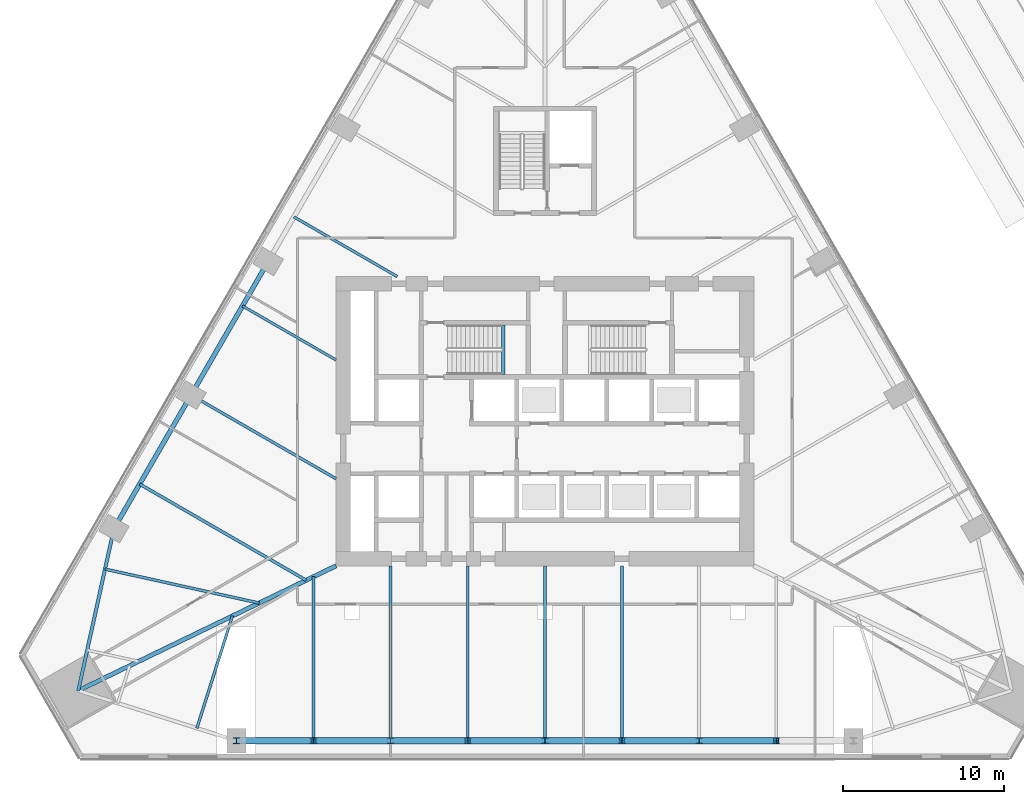
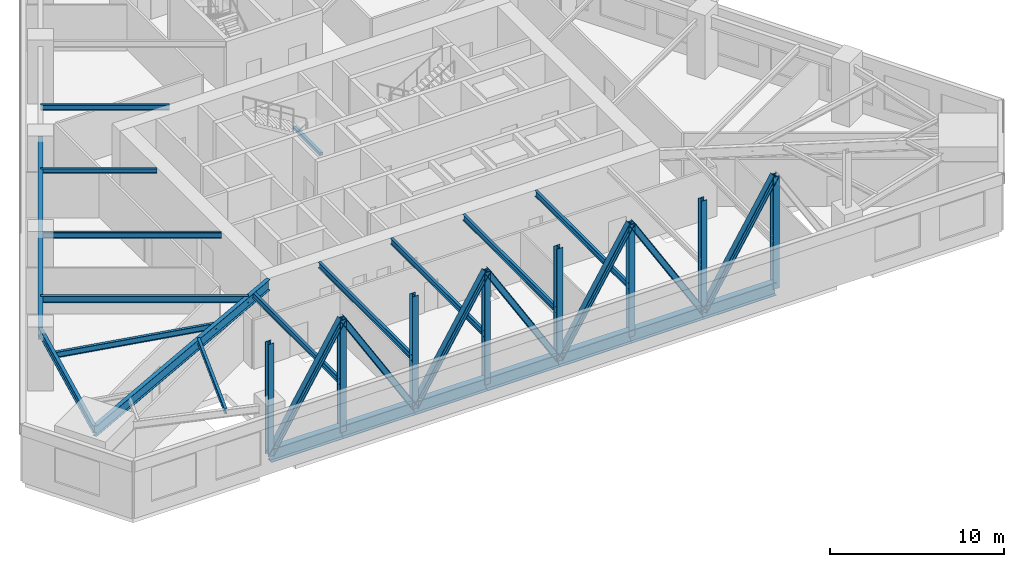
# One storey, part 2 of 11: 22 members, 15 beams.
"""IFC4 building model written with IfcOpenShell, lengths in metres."""

import ifcopenshell
import ifcopenshell.guid

model = None  # the IFC model being written
_history = None  # IfcOwnerHistory: only IFC2X3 demands one
_inside = {}  # id of a spatial element -> (the spatial element, [elements in it])
_under = {}  # id of a project, library or spatial element -> (it, [spatial elements below it])
_declared = {}  # id of a project -> (the project, [libraries it declares])
_typed = {}  # id of a type object -> (the type object, [elements of that type])
_made_of = {}  # id of a material, layer set ... -> (it, [elements and type objects made of it])


def new_model(schema):
    """Start an empty IFC model of exactly this schema.

    Asked for "IFC4X3", IfcOpenShell would pick the latest addendum, in which some entities
    have other attributes; the version numbers below select the first issue.
    IFC2X3 requires an IfcOwnerHistory on every rooted entity: one is made here for all.
    """
    global model, _history
    if schema == "IFC4X3":
        model = ifcopenshell.file(schema_version=(4, 3, 0, 0))
    else:
        model = ifcopenshell.file(schema=schema)
    _inside.clear()
    _under.clear()
    _declared.clear()
    _typed.clear()
    _made_of.clear()
    _history = None
    if model.schema == "IFC2X3":
        org = make("IfcOrganization", Name="unknown")
        user = make(
            "IfcPersonAndOrganization",
            ThePerson=make("IfcPerson", FamilyName="unknown"),
            TheOrganization=org,
        )
        app = make(
            "IfcApplication",
            ApplicationDeveloper=org,
            Version="unknown",
            ApplicationFullName="unknown",
            ApplicationIdentifier="unknown",
        )
        _history = make(
            "IfcOwnerHistory",
            OwningUser=user,
            OwningApplication=app,
            ChangeAction="ADDED",
            CreationDate=0,
        )
    return model


def make(cls, **values):
    """One entity of the class cls with the attributes given. An attribute that is None is left unset."""
    return model.create_entity(
        cls, **{name: value for name, value in values.items() if value is not None}
    )


def rooted(cls, **values):
    """An entity with a GlobalId (a new one), such as an element, a storey or a relation."""
    return make(cls, GlobalId=ifcopenshell.guid.new(), OwnerHistory=_history, **values)


def si_unit(unit_type, name, prefix=None):
    """IfcSIUnit, for example si_unit("LENGTHUNIT", "METRE", prefix="MILLI")."""
    return make("IfcSIUnit", UnitType=unit_type, Prefix=prefix, Name=name)


def assignment(units):
    """IfcUnitAssignment: the units of a project."""
    return None if units is None else make("IfcUnitAssignment", Units=units)


def point(xyz):
    """IfcCartesianPoint."""
    return None if xyz is None else make("IfcCartesianPoint", Coordinates=xyz)


def direction(xyz):
    """IfcDirection."""
    return None if xyz is None else make("IfcDirection", DirectionRatios=xyz)


def frame(location, z_axis=None, x_axis=None):
    """IfcAxis2Placement3D, a coordinate frame: its origin and axes. An axis left out is left unset."""
    return make(
        "IfcAxis2Placement3D",
        Location=point(location),
        Axis=direction(z_axis),
        RefDirection=direction(x_axis),
    )


def frame_2d(location, x_axis=None):
    """IfcAxis2Placement2D, a coordinate frame in the plane: its origin and x axis."""
    return make(
        "IfcAxis2Placement2D", Location=point(location), RefDirection=direction(x_axis)
    )


def origin():
    """The frame at (0, 0, 0) with its axes left unset."""
    return frame((0.0, 0.0, 0.0))


def origin_2d():
    """The frame at (0, 0) in the plane with its x axis left unset."""
    return frame_2d((0.0, 0.0))


def place(relative_to, where):
    """IfcLocalPlacement: puts the frame where relative to a parent placement (None: the world)."""
    return make(
        "IfcLocalPlacement", PlacementRelTo=relative_to, RelativePlacement=where
    )


def context(
    kind, dimensions, precision=None, world=None, true_north=None, identifier=None
):
    """IfcGeometricRepresentationContext, for example the 3D "Model" context."""
    return make(
        "IfcGeometricRepresentationContext",
        ContextIdentifier=identifier,
        ContextType=kind,
        CoordinateSpaceDimension=dimensions,
        Precision=precision,
        WorldCoordinateSystem=world,
        TrueNorth=true_north,
    )


def subcontext(parent, identifier, kind, view, scale=None):
    """IfcGeometricRepresentationSubContext, for example "Body" below "Model"."""
    return make(
        "IfcGeometricRepresentationSubContext",
        ContextIdentifier=identifier,
        ContextType=kind,
        ParentContext=parent,
        TargetScale=scale,
        TargetView=view,
    )


def project(units=None, contexts=None):
    """IfcProject with its units and contexts."""
    return rooted(
        "IfcProject",
        Name="project",
        RepresentationContexts=contexts,
        UnitsInContext=assignment(units),
    )


def spatial(cls, under=None, at=None, **own):
    """A site, building, storey or space (cls), placed at a placement, below another one or the project."""
    s = rooted(cls, ObjectPlacement=at, **own)
    if under is not None:
        _under.setdefault(under.id(), (under, []))[1].append(s)
    return s


def profile(cls, at=None, kind="AREA", **sizes):
    """A parametric profile (cls). Its sizes go by their IFC names, for example OverallWidth=200.0."""
    return make(cls, ProfileType=kind, Position=at, **sizes)


def rectangle(**sizes):
    """IfcRectangleProfileDef."""
    return profile("IfcRectangleProfileDef", **sizes)


def i_section(**sizes):
    """IfcIShapeProfileDef."""
    return profile("IfcIShapeProfileDef", **sizes)


def extrude(swept, where, along, depth):
    """IfcExtrudedAreaSolid: the profile swept, set in the frame where, extruded along a direction by depth."""
    return make(
        "IfcExtrudedAreaSolid",
        SweptArea=swept,
        Position=where,
        ExtrudedDirection=direction(along),
        Depth=depth,
    )


def shape(context_of_items, identifier, shape_type, items):
    """IfcShapeRepresentation: the items that make up one representation, for example the "Body"."""
    return make(
        "IfcShapeRepresentation",
        ContextOfItems=context_of_items,
        RepresentationIdentifier=identifier,
        RepresentationType=shape_type,
        Items=items,
    )


def material(Name=None, Category=None):
    """IfcMaterial."""
    return make("IfcMaterial", Name=Name, Category=Category)


def material_profile(
    of_material, cross_section, Name=None, Category=None, Priority=None
):
    """IfcMaterialProfile: a cross section and its material."""
    return make(
        "IfcMaterialProfile",
        Name=Name,
        Material=of_material,
        Profile=cross_section,
        Priority=Priority,
        Category=Category,
    )


def profile_set(profiles, Name=None, composite=None):
    """IfcMaterialProfileSet."""
    return make(
        "IfcMaterialProfileSet",
        Name=Name,
        MaterialProfiles=profiles,
        CompositeProfile=composite,
    )


def made_of(thing, what):
    """Note that an element or type object is made of a material, layer set ...; save() writes the relation."""
    if what is not None:
        _made_of.setdefault(what.id(), (what, []))[1].append(thing)
    return thing


def type_object(cls, material=None, **own):
    """A type object (cls), such as IfcWallType, which elements share."""
    return made_of(rooted(cls, **own), material)


def element(
    cls,
    number,
    at=None,
    inside=None,
    cuts=None,
    type_object=None,
    material=None,
    context=None,
    identifier="Body",
    shape_type=None,
    held_by="IfcProductDefinitionShape",
    body=None,
    shapes=None,
    **own,
):
    """One element of the class cls, such as IfcWall. Its Tag is "e" and its number.

    at: its placement. inside: the storey or other place that contains it. cuts: it is an
    opening in that element (IfcRelVoidsElement). A single representation is given by context,
    identifier, shape_type and body (its items); several are given by shapes. held_by: the class
    of the entity that holds the representations. save() writes the other relations.
    """
    e = rooted(cls, Tag="e%d" % number, ObjectPlacement=at, **own)
    if body is not None:
        shapes = [shape(context, identifier, shape_type, body)]
    if shapes is not None:
        e.Representation = make(held_by, Representations=shapes)
    if inside is not None:
        _inside.setdefault(inside.id(), (inside, []))[1].append(e)
    if cuts is not None:
        rooted(
            "IfcRelVoidsElement", RelatingBuildingElement=cuts, RelatedOpeningElement=e
        )
    if type_object is not None:
        _typed.setdefault(type_object.id(), (type_object, []))[1].append(e)
    return made_of(e, material)


def aggregate(whole, parts):
    """IfcRelAggregates: a whole, such as a stair, and the parts it consists of."""
    return rooted("IfcRelAggregates", RelatingObject=whole, RelatedObjects=parts)


def save(model, path):
    """Write the relations noted so far, then the file.

    IfcRelAggregates (storeys below a building ...), IfcRelContainedInSpatialStructure (elements
    in a storey), IfcRelDefinesByType, IfcRelAssociatesMaterial and IfcRelDeclares: one each for
    every whole, place, type object, material and project.
    """
    for whole, parts in _under.values():
        aggregate(whole, parts)
    for where, things in _inside.values():
        rooted(
            "IfcRelContainedInSpatialStructure",
            RelatedElements=things,
            RelatingStructure=where,
        )
    for kind, things in _typed.values():
        rooted("IfcRelDefinesByType", RelatedObjects=things, RelatingType=kind)
    for what, things in _made_of.values():
        rooted("IfcRelAssociatesMaterial", RelatedObjects=things, RelatingMaterial=what)
    for by, libraries in _declared.values():
        rooted("IfcRelDeclares", RelatingContext=by, RelatedDefinitions=libraries)
    model.write(path)


model = new_model("IFC4")

# Units and contexts
model_context = context("Model", 3, precision=1e-05, world=origin(), true_north=direction((0.0, 1.0)))
body_context = subcontext(model_context, "Body", "Model", "MODEL_VIEW")
ifc_project = project(units=[si_unit("LENGTHUNIT", "METRE"), si_unit("AREAUNIT", "SQUARE_METRE"), si_unit("VOLUMEUNIT", "CUBIC_METRE"), si_unit("PLANEANGLEUNIT", "RADIAN"), si_unit("MASSUNIT", "GRAM", prefix="KILO")], contexts=[model_context])

# Site, building, storey
site_placement = place(None, origin())
site = spatial("IfcSite", under=ifc_project, at=site_placement, CompositionType="ELEMENT")
building_placement = place(site_placement, origin())
building = spatial("IfcBuilding", under=site, at=building_placement, Name="Firuza Gate Tower and Library", CompositionType="ELEMENT")
storey_placement = place(building_placement, frame((0.0, 0.0, 31.0)))
storey = spatial("IfcBuildingStorey", under=building, at=storey_placement, Name="L06", CompositionType="ELEMENT", Elevation=31.0)

# Beams
ifc_material_1 = material(Name="Concrete C35/45", Category="concrete")
ifc_material_profile_1 = material_profile(ifc_material_1, rectangle(XDim=0.199951171875, YDim=0.199951171875, at=origin_2d()))
ifc_profile_set_1 = profile_set([ifc_material_profile_1], Name="Concrete C35/45")
beam_type_1 = type_object("IfcBeamType", Name="Stair landing bearer 200x200", PredefinedType="BEAM", material=ifc_profile_set_1)
beam_1_placement = place(storey_placement, frame((72.39990234375, 77.89990234375, 1.949951171875), z_axis=(0.0, 1.0, 0.0), x_axis=(-1.0, 0.0, 0.0)))
element("IfcBeam", 1, at=beam_1_placement, inside=storey, type_object=beam_type_1, Name="Landing bearer L06 stair 1", PredefinedType="BEAM", context=body_context, shape_type="SweptSolid", body=[
    extrude(rectangle(XDim=0.199951171875, YDim=0.199951171875, at=origin_2d()), origin(), (0.0, 0.0, 1.0), 3.080078125),
])
ifc_material_2 = material(Name="Steel S355", Category="steel")
ifc_material_profile_2 = material_profile(ifc_material_2, i_section(OverallWidth=0.1650390625, OverallDepth=0.31005859375, WebThickness=0.005859375, FlangeThickness=0.009765625, at=origin_2d()))
ifc_profile_set_2 = profile_set([ifc_material_profile_2], Name="Steel S355")
beam_type_2 = type_object("IfcBeamType", Name="W310x39 Floor beam", PredefinedType="JOIST", material=ifc_profile_set_2)
beam_2_placement = place(storey_placement, frame((56.179443359375, 82.171142578125, 3.89501953125), z_axis=(0.866019234261, -0.500010685776, 0.0), x_axis=(0.500010685776, 0.866019234261, 0.0)))
element("IfcBeam", 2, at=beam_2_placement, inside=storey, type_object=beam_type_2, Name="Floor beam L06 s83", PredefinedType="JOIST", context=body_context, shape_type="SweptSolid", body=[
    extrude(i_section(OverallWidth=0.1650390625, OverallDepth=0.31005859375, WebThickness=0.005859375, FlangeThickness=0.009765625, at=origin_2d()), origin(), (0.0, 0.0, 1.0), 6.720947265625),
])

# Members
ifc_material_3 = material(Name="Steel S355", Category="steel")
ifc_material_profile_3 = material_profile(ifc_material_3, i_section(OverallWidth=0.39404296875, OverallDepth=0.375, WebThickness=0.017333984375, FlangeThickness=0.027587890625, at=origin_2d()))
ifc_profile_set_3 = profile_set([ifc_material_profile_3], Name="Steel S355")
member_type_1 = type_object("IfcMemberType", Name="W360x216 Transfer truss post", PredefinedType="POST", material=ifc_profile_set_3)
for number, where, z_axis, x_axis, name in (
    (3, (55.800048828125, 55.115478515625, 0.4560546875), (0.0, 0.0, 1.0), (1.0, 0.0, 0.0), "Transfer truss post 1"),
    (4, (60.60009765625, 55.115478515625, 0.4560546875), (0.0, 0.0, 1.0), (1.0, 0.0, 0.0), "Transfer truss post 2"),
    (5, (65.39990234375, 55.115478515625, 0.4560546875), (0.0, 0.0, 1.0), (1.0, 0.0, 0.0), "Transfer truss post 3"),
    (6, (70.199951171875, 55.115478515625, 0.4560546875), (0.0, 0.0, 1.0), (1.0, 0.0, 0.0), "Transfer truss post 4"),
    (7, (75.0, 55.115478515625, 0.4560546875), (0.0, 0.0, 1.0), (1.0, 0.0, 0.0), "Transfer truss post 5"),
    (8, (79.800048828125, 55.115478515625, 0.4560546875), (0.0, 0.0, 1.0), (1.0, 0.0, 0.0), "Transfer truss post 6"),
    (9, (84.60009765625, 55.115478515625, 0.4560546875), (0.0, 0.0, 1.0), (1.0, 0.0, 0.0), "Transfer truss post 7"),
    (10, (89.39990234375, 55.115478515625, 0.4560546875), (0.0, 0.0, 1.0), (1.0, 0.0, 0.0), "Transfer truss post 8"),
):
    element("IfcMember", number, at=place(storey_placement, frame(where, z_axis=z_axis, x_axis=x_axis)), inside=storey, type_object=member_type_1, Name=name, PredefinedType="POST", context=body_context, shape_type="SweptSolid", body=[
        extrude(i_section(OverallWidth=0.39404296875, OverallDepth=0.375, WebThickness=0.017333984375, FlangeThickness=0.027587890625, at=origin_2d()), origin(), (0.0, 0.0, 1.0), 7.887939453125),
    ])
ifc_material_4 = material(Name="Steel S355", Category="steel")
ifc_material_profile_4 = material_profile(ifc_material_4, i_section(OverallWidth=0.39794921875, OverallDepth=0.386962890625, WebThickness=0.02099609375, FlangeThickness=0.033203125, at=origin_2d()))
ifc_profile_set_4 = profile_set([ifc_material_profile_4], Name="Steel S355")
member_type_2 = type_object("IfcMemberType", Name="W360x262 Transfer truss diagonal", PredefinedType="BRACE", material=ifc_profile_set_4)
member_1_placement = place(storey_placement, frame((55.800048828125, 55.115478515625, 0.4560546875), z_axis=(0.519843771024, 0.0, 0.85426134978), x_axis=(0.0, 1.0, 0.0)))
element("IfcMember", 11, at=member_1_placement, inside=storey, type_object=member_type_2, Name="Transfer truss diagonal 1", PredefinedType="BRACE", context=body_context, shape_type="SweptSolid", body=[
    extrude(i_section(OverallWidth=0.39794921875, OverallDepth=0.386962890625, WebThickness=0.02099609375, FlangeThickness=0.033203125, at=origin_2d()), origin(), (0.0, 0.0, 1.0), 9.233642578125),
])
member_2_placement = place(storey_placement, frame((60.60009765625, 55.115478515625, 8.343994140625), z_axis=(0.51982447545, 0.0, -0.854273091419), x_axis=(0.0, 1.0, 0.0)))
element("IfcMember", 12, at=member_2_placement, inside=storey, type_object=member_type_2, Name="Transfer truss diagonal 2", PredefinedType="BRACE", context=body_context, shape_type="SweptSolid", body=[
    extrude(i_section(OverallWidth=0.39794921875, OverallDepth=0.386962890625, WebThickness=0.02099609375, FlangeThickness=0.033203125, at=origin_2d()), origin(), (0.0, 0.0, 1.0), 9.2333984375),
])
for number, where, z_axis, x_axis, name in (
    (13, (65.39990234375, 55.115478515625, 0.4560546875), (0.519843771024, 0.0, 0.85426134978), (0.0, 1.0, 0.0), "Transfer truss diagonal 3"),
    (14, (70.199951171875, 55.115478515625, 8.343994140625), (0.519843771024, 0.0, -0.85426134978), (0.0, 1.0, 0.0), "Transfer truss diagonal 4"),
    (15, (75.0, 55.115478515625, 0.4560546875), (0.519843771024, 0.0, 0.85426134978), (0.0, 1.0, 0.0), "Transfer truss diagonal 5"),
    (16, (79.800048828125, 55.115478515625, 8.343994140625), (0.519843771024, 0.0, -0.85426134978), (0.0, 1.0, 0.0), "Transfer truss diagonal 6"),
):
    element("IfcMember", number, at=place(storey_placement, frame(where, z_axis=z_axis, x_axis=x_axis)), inside=storey, type_object=member_type_2, Name=name, PredefinedType="BRACE", context=body_context, shape_type="SweptSolid", body=[
        extrude(i_section(OverallWidth=0.39794921875, OverallDepth=0.386962890625, WebThickness=0.02099609375, FlangeThickness=0.033203125, at=origin_2d()), origin(), (0.0, 0.0, 1.0), 9.233642578125),
    ])
member_3_placement = place(storey_placement, frame((84.60009765625, 55.115478515625, 0.4560546875), z_axis=(0.51982447545, 0.0, 0.854273091419), x_axis=(0.0, 1.0, 0.0)))
element("IfcMember", 17, at=member_3_placement, inside=storey, type_object=member_type_2, Name="Transfer truss diagonal 7", PredefinedType="BRACE", context=body_context, shape_type="SweptSolid", body=[
    extrude(i_section(OverallWidth=0.39794921875, OverallDepth=0.386962890625, WebThickness=0.02099609375, FlangeThickness=0.033203125, at=origin_2d()), origin(), (0.0, 0.0, 1.0), 9.2333984375),
])

# Beams
ifc_material_5 = material(Name="Steel S355", Category="steel")
ifc_material_profile_5 = material_profile(ifc_material_5, i_section(OverallWidth=0.1708984375, OverallDepth=0.35498046875, WebThickness=0.007080078125, FlangeThickness=0.01171875, at=origin_2d()))
ifc_profile_set_5 = profile_set([ifc_material_profile_5], Name="Steel S355")
beam_type_3 = type_object("IfcBeamType", Name="W360x51 Floor beam", PredefinedType="JOIST", material=ifc_profile_set_5)
beam_3_placement = place(storey_placement, frame((53.339599609375, 55.894775390625, 3.87255859375), z_axis=(0.302024477968, 0.953300170307, 0.0), x_axis=(-0.953300170307, 0.302024477968, 0.0)))
element("IfcBeam", 18, at=beam_3_placement, inside=storey, type_object=beam_type_3, Name="Floor beam L06 s11", PredefinedType="JOIST", context=body_context, shape_type="SweptSolid", body=[
    extrude(i_section(OverallWidth=0.1708984375, OverallDepth=0.35498046875, WebThickness=0.007080078125, FlangeThickness=0.01171875, at=origin_2d()), origin(), (0.0, 0.0, 1.0), 7.3251953125),
])
beam_4_placement = place(storey_placement, frame((59.37939453125, 87.713623046875, 3.87255859375), z_axis=(0.866023556141, -0.500003200199, 0.0), x_axis=(0.500003200199, 0.866023556141, 0.0)))
element("IfcBeam", 19, at=beam_4_placement, inside=storey, type_object=beam_type_3, Name="Floor beam L06 s82", PredefinedType="JOIST", context=body_context, shape_type="SweptSolid", body=[
    extrude(i_section(OverallWidth=0.1708984375, OverallDepth=0.35498046875, WebThickness=0.007080078125, FlangeThickness=0.01171875, at=origin_2d()), origin(), (0.0, 0.0, 1.0), 7.42724609375),
])
ifc_material_6 = material(Name="Steel S355", Category="steel")
ifc_material_profile_6 = material_profile(ifc_material_6, i_section(OverallWidth=0.177978515625, OverallDepth=0.406982421875, WebThickness=0.0078125, FlangeThickness=0.0126953125, at=origin_2d()))
ifc_profile_set_6 = profile_set([ifc_material_profile_6], Name="Steel S355")
beam_type_4 = type_object("IfcBeamType", Name="W410x60 Floor beam", PredefinedType="JOIST", material=ifc_profile_set_6)
beam_5_placement = place(storey_placement, frame((47.624267578125, 65.794189453125, 3.846435546875), z_axis=(0.97658964753, -0.215110809441, 0.0), x_axis=(0.215110809441, 0.97658964753, 0.0)))
element("IfcBeam", 20, at=beam_5_placement, inside=storey, type_object=beam_type_4, Name="Floor beam L06 s00", PredefinedType="JOIST", context=body_context, shape_type="SweptSolid", body=[
    extrude(i_section(OverallWidth=0.177978515625, OverallDepth=0.406982421875, WebThickness=0.0078125, FlangeThickness=0.0126953125, at=origin_2d()), origin(), (0.0, 0.0, 1.0), 9.818359375),
])
beam_6_placement = place(storey_placement, frame((60.60009765625, 55.115478515625, 3.846435546875), z_axis=(0.0, 1.0, 0.0), x_axis=(-1.0, 0.0, 0.0)))
element("IfcBeam", 21, at=beam_6_placement, inside=storey, type_object=beam_type_4, Name="Floor beam L06 s20", PredefinedType="JOIST", context=body_context, shape_type="SweptSolid", body=[
    extrude(i_section(OverallWidth=0.177978515625, OverallDepth=0.406982421875, WebThickness=0.0078125, FlangeThickness=0.0126953125, at=origin_2d()), origin(), (0.0, 0.0, 1.0), 10.20654296875),
])
for number, where, z_axis, x_axis, name in (
    (22, (65.39990234375, 55.115478515625, 3.846435546875), (0.0, 1.0, 0.0), (-1.0, 0.0, 0.0), "Floor beam L06 s21"),
    (23, (70.199951171875, 55.115478515625, 3.846435546875), (0.0, 1.0, 0.0), (-1.0, 0.0, 0.0), "Floor beam L06 s22"),
    (24, (75.0, 55.115478515625, 3.846435546875), (0.0, 1.0, 0.0), (-1.0, 0.0, 0.0), "Floor beam L06 s23"),
    (25, (79.800048828125, 55.115478515625, 3.846435546875), (0.0, 1.0, 0.0), (-1.0, 0.0, 0.0), "Floor beam L06 s24"),
):
    element("IfcBeam", number, at=place(storey_placement, frame(where, z_axis=z_axis, x_axis=x_axis)), inside=storey, type_object=beam_type_4, Name=name, PredefinedType="JOIST", context=body_context, shape_type="SweptSolid", body=[
        extrude(i_section(OverallWidth=0.177978515625, OverallDepth=0.406982421875, WebThickness=0.0078125, FlangeThickness=0.0126953125, at=origin_2d()), origin(), (0.0, 0.0, 1.0), 10.884521484375),
    ])
beam_7_placement = place(storey_placement, frame((52.9794921875, 76.62841796875, 3.846435546875), z_axis=(0.866024771944, -0.500001094379, 0.0), x_axis=(0.500001094379, 0.866024771944, 0.0)))
element("IfcBeam", 26, at=beam_7_placement, inside=storey, type_object=beam_type_4, Name="Floor beam L06 s84", PredefinedType="JOIST", context=body_context, shape_type="SweptSolid", body=[
    extrude(i_section(OverallWidth=0.177978515625, OverallDepth=0.406982421875, WebThickness=0.0078125, FlangeThickness=0.0126953125, at=origin_2d()), origin(), (0.0, 0.0, 1.0), 10.416015625),
])
ifc_material_7 = material(Name="Steel S355", Category="steel")
ifc_material_profile_7 = material_profile(ifc_material_7, i_section(OverallWidth=0.18994140625, OverallDepth=0.45703125, WebThickness=0.009033203125, FlangeThickness=0.014404296875, at=origin_2d()))
ifc_profile_set_7 = profile_set([ifc_material_profile_7], Name="Steel S355")
beam_type_5 = type_object("IfcBeamType", Name="W460x74 Floor beam", PredefinedType="JOIST", material=ifc_profile_set_7)
beam_8_placement = place(storey_placement, frame((49.779541015625, 71.0859375, 3.821533203125), z_axis=(0.866020154196, -0.500009092443, 0.0), x_axis=(0.500009092443, 0.866020154196, 0.0)))
element("IfcBeam", 27, at=beam_8_placement, inside=storey, type_object=beam_type_5, Name="Floor beam L06 s85", PredefinedType="JOIST", context=body_context, shape_type="SweptSolid", body=[
    extrude(i_section(OverallWidth=0.18994140625, OverallDepth=0.45703125, WebThickness=0.009033203125, FlangeThickness=0.014404296875, at=origin_2d()), origin(), (0.0, 0.0, 1.0), 11.968505859375),
])
ifc_material_8 = material(Name="Steel S355", Category="steel")
ifc_material_profile_8 = material_profile(ifc_material_8, i_section(OverallWidth=0.212890625, OverallDepth=0.5390625, WebThickness=0.01171875, FlangeThickness=0.018798828125, at=origin_2d()))
ifc_profile_set_8 = profile_set([ifc_material_profile_8], Name="Steel S355")
beam_type_6 = type_object("IfcBeamType", Name="W530x109 Edge beam", PredefinedType="SPANDREL", material=ifc_profile_set_8)
beam_9_placement = place(storey_placement, frame((48.179443359375, 68.314697265625, 3.780517578125), z_axis=(-0.215117130091, -0.976588255275, 0.0), x_axis=(0.976588255275, -0.215117130091, 0.0)))
element("IfcBeam", 28, at=beam_9_placement, inside=storey, type_object=beam_type_6, Name="Edge beam L06 e00", PredefinedType="SPANDREL", context=body_context, shape_type="SweptSolid", body=[
    extrude(i_section(OverallWidth=0.212890625, OverallDepth=0.5390625, WebThickness=0.01171875, FlangeThickness=0.018798828125, at=origin_2d()), origin(), (0.0, 0.0, 1.0), 10.3232421875),
])
ifc_material_9 = material(Name="Steel S355", Category="steel")
ifc_material_profile_9 = material_profile(ifc_material_9, i_section(OverallWidth=0.264892578125, OverallDepth=0.7529296875, WebThickness=0.01318359375, FlangeThickness=0.01708984375, at=origin_2d()))
ifc_profile_set_9 = profile_set([ifc_material_profile_9], Name="Steel S355")
beam_type_7 = type_object("IfcBeamType", Name="W760x147 Girder", PredefinedType="BEAM", material=ifc_profile_set_9)
beam_10_placement = place(storey_placement, frame((45.958740234375, 58.233154296875, 3.673583984375), z_axis=(0.900050421894, 0.43578577082, 0.0), x_axis=(-0.43578577082, 0.900050421894, 0.0)))
element("IfcBeam", 29, at=beam_10_placement, inside=storey, type_object=beam_type_7, Name="Girder L06 gSW", PredefinedType="BEAM", context=body_context, shape_type="SweptSolid", body=[
    extrude(i_section(OverallWidth=0.264892578125, OverallDepth=0.7529296875, WebThickness=0.01318359375, FlangeThickness=0.01708984375, at=origin_2d()), origin(), (0.0, 0.0, 1.0), 17.822509765625),
])
ifc_material_10 = material(Name="Steel S355", Category="steel")
ifc_material_profile_10 = material_profile(ifc_material_10, i_section(OverallWidth=0.2919921875, OverallDepth=0.8349609375, WebThickness=0.013916015625, FlangeThickness=0.018798828125, at=origin_2d()))
ifc_profile_set_10 = profile_set([ifc_material_profile_10], Name="Steel S355")
beam_type_8 = type_object("IfcBeamType", Name="W840x176 Edge beam", PredefinedType="SPANDREL", material=ifc_profile_set_10)
beam_11_placement = place(storey_placement, frame((57.779541015625, 84.9423828125, 3.632568359375), z_axis=(-0.500003864429, -0.866023172644, 0.0), x_axis=(0.866023172644, -0.500003864429, 0.0)))
element("IfcBeam", 30, at=beam_11_placement, inside=storey, type_object=beam_type_8, Name="Edge beam L06 e82", PredefinedType="SPANDREL", context=body_context, shape_type="SweptSolid", body=[
    extrude(i_section(OverallWidth=0.2919921875, OverallDepth=0.8349609375, WebThickness=0.013916015625, FlangeThickness=0.018798828125, at=origin_2d()), origin(), (0.0, 0.0, 1.0), 19.199951171875),
])

# Members
ifc_material_11 = material(Name="Steel S355", Category="steel")
ifc_material_profile_11 = material_profile(ifc_material_11, i_section(OverallWidth=0.41796875, OverallDepth=0.912109375, WebThickness=0.019287109375, FlangeThickness=0.031982421875, at=origin_2d()))
ifc_profile_set_11 = profile_set([ifc_material_profile_11], Name="Steel S355")
member_type_3 = type_object("IfcMemberType", Name="W920x342 Transfer truss chord", PredefinedType="CHORD", material=ifc_profile_set_11)
member_4_placement = place(storey_placement, frame((55.800048828125, 55.115478515625, 0.4560546875), z_axis=(1.0, 0.0, 0.0), x_axis=(0.0, 1.0, 0.0)))
element("IfcMember", 31, at=member_4_placement, inside=storey, type_object=member_type_3, Name="Transfer truss bottom chord 1", PredefinedType="CHORD", context=body_context, shape_type="SweptSolid", body=[
    extrude(i_section(OverallWidth=0.41796875, OverallDepth=0.912109375, WebThickness=0.019287109375, FlangeThickness=0.031982421875, at=origin_2d()), origin(), (0.0, 0.0, 1.0), 4.800048828125),
])
member_5_placement = place(storey_placement, frame((60.60009765625, 55.115478515625, 0.4560546875), z_axis=(1.0, 0.0, 0.0), x_axis=(0.0, 1.0, 0.0)))
element("IfcMember", 32, at=member_5_placement, inside=storey, type_object=member_type_3, Name="Transfer truss bottom chord 2", PredefinedType="CHORD", context=body_context, shape_type="SweptSolid", body=[
    extrude(i_section(OverallWidth=0.41796875, OverallDepth=0.912109375, WebThickness=0.019287109375, FlangeThickness=0.031982421875, at=origin_2d()), origin(), (0.0, 0.0, 1.0), 4.7998046875),
])
for number, where, z_axis, x_axis, name in (
    (33, (65.39990234375, 55.115478515625, 0.4560546875), (1.0, 0.0, 0.0), (0.0, 1.0, 0.0), "Transfer truss bottom chord 3"),
    (34, (70.199951171875, 55.115478515625, 0.4560546875), (1.0, 0.0, 0.0), (0.0, 1.0, 0.0), "Transfer truss bottom chord 4"),
    (35, (75.0, 55.115478515625, 0.4560546875), (1.0, 0.0, 0.0), (0.0, 1.0, 0.0), "Transfer truss bottom chord 5"),
    (36, (79.800048828125, 55.115478515625, 0.4560546875), (1.0, 0.0, 0.0), (0.0, 1.0, 0.0), "Transfer truss bottom chord 6"),
):
    element("IfcMember", number, at=place(storey_placement, frame(where, z_axis=z_axis, x_axis=x_axis)), inside=storey, type_object=member_type_3, Name=name, PredefinedType="CHORD", context=body_context, shape_type="SweptSolid", body=[
        extrude(i_section(OverallWidth=0.41796875, OverallDepth=0.912109375, WebThickness=0.019287109375, FlangeThickness=0.031982421875, at=origin_2d()), origin(), (0.0, 0.0, 1.0), 4.800048828125),
    ])
member_6_placement = place(storey_placement, frame((84.60009765625, 55.115478515625, 0.4560546875), z_axis=(1.0, 0.0, 0.0), x_axis=(0.0, 1.0, 0.0)))
element("IfcMember", 37, at=member_6_placement, inside=storey, type_object=member_type_3, Name="Transfer truss bottom chord 7", PredefinedType="CHORD", context=body_context, shape_type="SweptSolid", body=[
    extrude(i_section(OverallWidth=0.41796875, OverallDepth=0.912109375, WebThickness=0.019287109375, FlangeThickness=0.031982421875, at=origin_2d()), origin(), (0.0, 0.0, 1.0), 4.7998046875),
])

save(model, "model.ifc")
